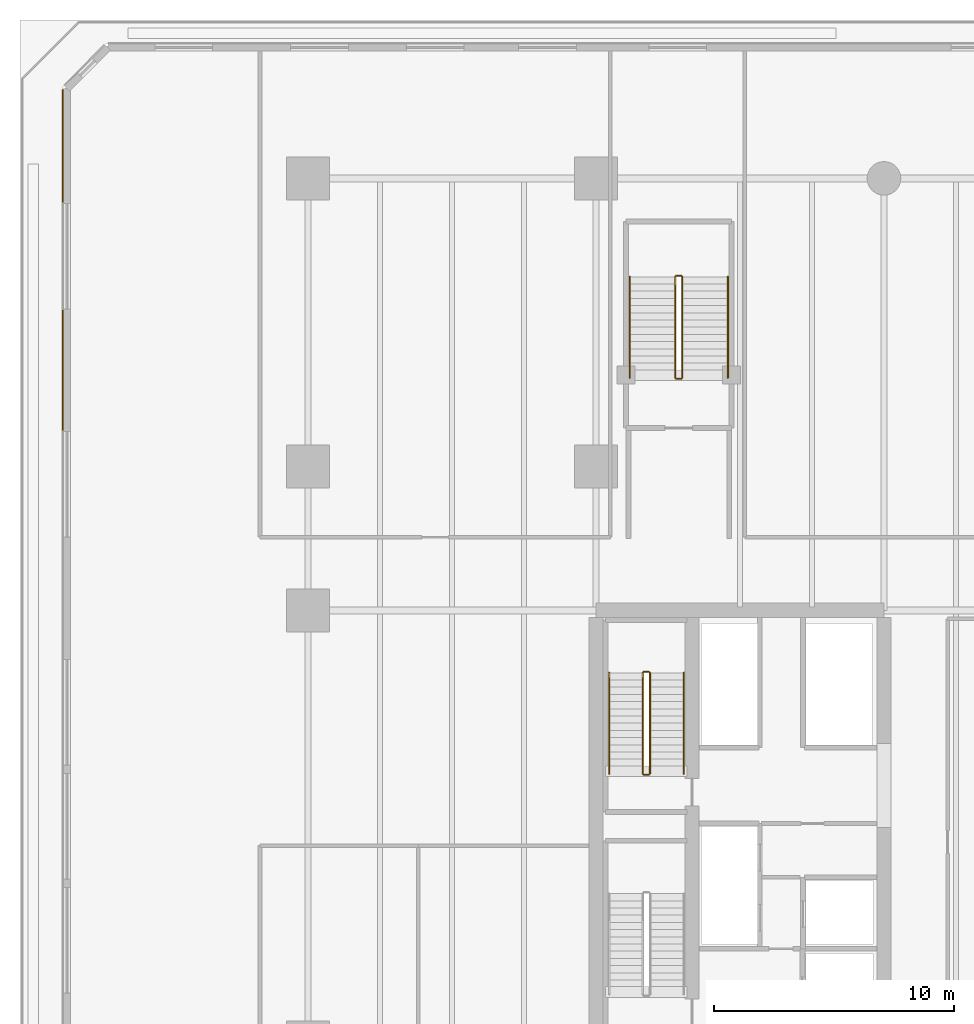
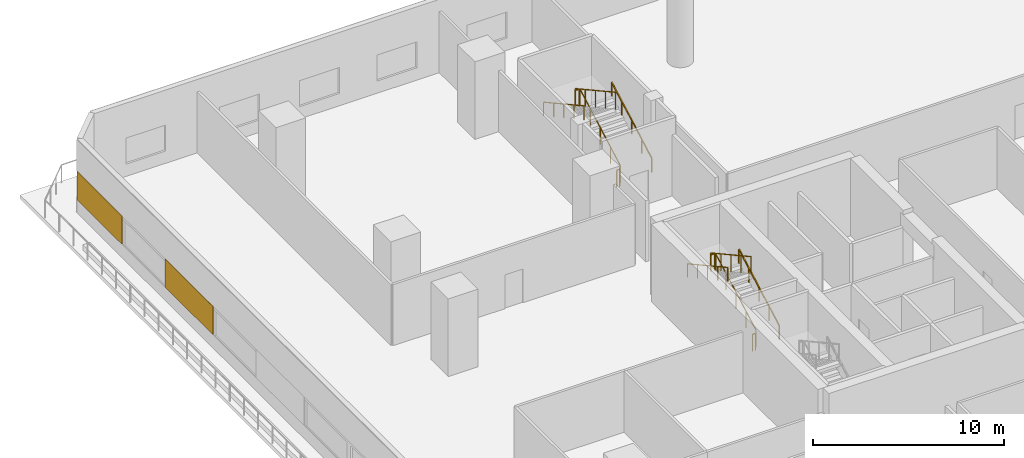
# One storey, part 19 of 24: 12 railings, 2 coverings.
"""IFC4 building model written with IfcOpenShell, lengths in metres."""

from ifc_helpers import new_model, si_unit, direction, frame, origin, origin_2d, place, context, subcontext, project, spatial, rectangle, extrude, material, layer, layer_set, type_object, element, save


model = new_model("IFC4")

# Units and contexts
model_context = context("Model", 3, precision=1e-05, world=origin(), true_north=direction((0.0, 1.0)))
body_context = subcontext(model_context, "Body", "Model", "MODEL_VIEW")
ifc_project = project(units=[si_unit("LENGTHUNIT", "METRE"), si_unit("AREAUNIT", "SQUARE_METRE"), si_unit("VOLUMEUNIT", "CUBIC_METRE"), si_unit("PLANEANGLEUNIT", "RADIAN"), si_unit("MASSUNIT", "GRAM", prefix="KILO")], contexts=[model_context])

# Site, building, storey
site_placement = place(None, origin())
site = spatial("IfcSite", under=ifc_project, at=site_placement, CompositionType="ELEMENT")
building_placement = place(site_placement, origin())
building = spatial("IfcBuilding", under=site, at=building_placement, Name="Tanjung Sevakor Pilgrim Tower", CompositionType="ELEMENT")
storey_placement = place(building_placement, frame((0.0, 0.0, 4.949951171875)))
storey = spatial("IfcBuildingStorey", under=building, at=storey_placement, Name="L02", CompositionType="ELEMENT", Elevation=4.949951171875)

# Coverings
ifc_material_1 = material(Name="Reconstructed Limestone Cladding", Category="masonry")
ifc_layer = layer(ifc_material_1, 0.044921875)
ifc_layer_set = layer_set([ifc_layer], Name="COV-CLAD-LIMESTONE")
covering_type = type_object("IfcCoveringType", Name="COV-CLAD-LIMESTONE", PredefinedType="CLADDING", material=ifc_layer_set)
covering_1_placement = place(storey_placement, frame((1.777587890625, 61.948974609375, 0.85009765625), z_axis=(0.0, 0.0, 1.0), x_axis=(0.0, -1.0, 0.0)))
element("IfcCovering", 1, at=covering_1_placement, inside=storey, type_object=covering_type, Name="L02 Warm Limestone Pier Panel EW-L02-MAIN-7-1", PredefinedType="CLADDING", context=body_context, shape_type="SweptSolid", body=[
    extrude(rectangle(XDim=4.697998046875, YDim=0.044921875, at=origin_2d()), origin(), (0.0, 0.0, 1.0), 1.81005859375),
])
covering_2_placement = place(storey_placement, frame((1.777587890625, 52.60009765625, 0.85009765625), z_axis=(0.0, 0.0, 1.0), x_axis=(0.0, -1.0, 0.0)))
element("IfcCovering", 2, at=covering_2_placement, inside=storey, type_object=covering_type, Name="L02 Warm Limestone Pier Panel EW-L02-MAIN-7-2", PredefinedType="CLADDING", context=body_context, shape_type="SweptSolid", body=[
    extrude(rectangle(XDim=5.0, YDim=0.044921875, at=origin_2d()), origin(), (0.0, 0.0, 1.0), 1.81005859375),
])

# Railings
ifc_material_2 = material(Name="Steel S355J2", Category="steel")
railing_type_1 = type_object("IfcRailingType", Name="RL-STAIR-GUARD", PredefinedType="GUARDRAIL", material=ifc_material_2)
railing_1_placement = place(storey_placement, frame((26.25, 35.800048828125, 0.1650390625)))
element("IfcRailing", 3, at=railing_1_placement, inside=storey, type_object=railing_type_1, Name="L02 TS-W2 stair guard 1", PredefinedType="GUARDRAIL", context=body_context, shape_type="SweptSolid", body=[
    extrude(rectangle(XDim=0.0479, YDim=0.0479), frame((0.0, 0.0, 1.076171875), z_axis=(0.0, 0.876208380975, 0.481932436249), x_axis=(-1.0, 0.0, 0.0)), (0.0, 0.0, 1.0), 4.793212890625),
    extrude(rectangle(XDim=0.042, YDim=0.042), origin(), (0.0, 0.0, 1.0), 1.052001953125),
    extrude(rectangle(XDim=0.042, YDim=0.042), frame((0.0, 1.050048828125, 0.57763671875)), (0.0, 0.0, 1.0), 1.052001953125),
    extrude(rectangle(XDim=0.042, YDim=0.042), frame((0.0, 2.10009765625, 1.155029296875)), (0.0, 0.0, 1.0), 1.052001953125),
    extrude(rectangle(XDim=0.042, YDim=0.042), frame((0.0, 3.14990234375, 1.732421875)), (0.0, 0.0, 1.0), 1.052001953125),
    extrude(rectangle(XDim=0.042, YDim=0.042), frame((0.0, 4.199951171875, 2.31005859375)), (0.0, 0.0, 1.0), 1.052001953125),
])
railing_2_placement = place(storey_placement, frame((26.199951171875, 40.050048828125, 2.47509765625)))
element("IfcRailing", 4, at=railing_2_placement, inside=storey, type_object=railing_type_1, Name="L02 TS-W2 stair guard 2", PredefinedType="GUARDRAIL", context=body_context, shape_type="SweptSolid", body=[
    extrude(rectangle(XDim=0.0479, YDim=0.0479), frame((0.0, 0.0, 1.076171875), z_axis=(-1.0, 0.0, 0.0), x_axis=(0.0, -1.0, 0.0)), (0.0, 0.0, 1.0), 0.199951171875),
    extrude(rectangle(XDim=0.042, YDim=0.042), origin(), (0.0, 0.0, 1.0), 1.052001953125),
    extrude(rectangle(XDim=0.042, YDim=0.042), frame((-0.199951171875, 0.0, 0.0)), (0.0, 0.0, 1.0), 1.052001953125),
])
railing_3_placement = place(storey_placement, frame((25.949951171875, 40.0, 2.64013671875)))
element("IfcRailing", 5, at=railing_3_placement, inside=storey, type_object=railing_type_1, Name="L02 TS-W2 stair guard 3", PredefinedType="GUARDRAIL", context=body_context, shape_type="SweptSolid", body=[
    extrude(rectangle(XDim=0.0479, YDim=0.0479), frame((0.0, 0.0, 1.076171875), z_axis=(0.0, -0.876229888469, 0.481893331094), x_axis=(1.0, 0.0, 0.0)), (0.0, 0.0, 1.0), 4.793212890625),
    extrude(rectangle(XDim=0.042, YDim=0.042), origin(), (0.0, 0.0, 1.0), 1.052001953125),
    extrude(rectangle(XDim=0.042, YDim=0.042), frame((0.0, -1.050048828125, 0.577392578125)), (0.0, 0.0, 1.0), 1.052001953125),
    extrude(rectangle(XDim=0.042, YDim=0.042), frame((0.0, -2.10009765625, 1.15478515625)), (0.0, 0.0, 1.0), 1.052001953125),
    extrude(rectangle(XDim=0.042, YDim=0.042), frame((0.0, -3.14990234375, 1.732421875)), (0.0, 0.0, 1.0), 1.052001953125),
    extrude(rectangle(XDim=0.042, YDim=0.042), frame((0.0, -4.199951171875, 2.309814453125)), (0.0, 0.0, 1.0), 1.052001953125),
])
railing_4_placement = place(storey_placement, frame((26.199951171875, 35.75, 0.0)))
element("IfcRailing", 6, at=railing_4_placement, inside=storey, type_object=railing_type_1, Name="L02 TS-W2 stair guard 4", PredefinedType="GUARDRAIL", context=body_context, shape_type="SweptSolid", body=[
    extrude(rectangle(XDim=0.0479, YDim=0.0479), frame((0.0, 0.0, 1.076171875), z_axis=(-1.0, 0.0, 0.0), x_axis=(0.0, -1.0, 0.0)), (0.0, 0.0, 1.0), 0.199951171875),
    extrude(rectangle(XDim=0.042, YDim=0.042), origin(), (0.0, 0.0, 1.0), 1.052001953125),
    extrude(rectangle(XDim=0.042, YDim=0.042), frame((-0.199951171875, 0.0, 0.0)), (0.0, 0.0, 1.0), 1.052001953125),
])
railing_5_placement = place(storey_placement, frame((27.60009765625, 52.300048828125, 0.1650390625)))
element("IfcRailing", 7, at=railing_5_placement, inside=storey, type_object=railing_type_1, Name="L02 PS-2 stair guard 1", PredefinedType="GUARDRAIL", context=body_context, shape_type="SweptSolid", body=[
    extrude(rectangle(XDim=0.0479, YDim=0.0479), frame((0.0, 0.0, 1.076171875), z_axis=(0.0, 0.876208380975, 0.481932436249), x_axis=(-1.0, 0.0, 0.0)), (0.0, 0.0, 1.0), 4.793212890625),
    extrude(rectangle(XDim=0.042, YDim=0.042), origin(), (0.0, 0.0, 1.0), 1.052001953125),
    extrude(rectangle(XDim=0.042, YDim=0.042), frame((0.0, 1.050048828125, 0.57763671875)), (0.0, 0.0, 1.0), 1.052001953125),
    extrude(rectangle(XDim=0.042, YDim=0.042), frame((0.0, 2.10009765625, 1.155029296875)), (0.0, 0.0, 1.0), 1.052001953125),
    extrude(rectangle(XDim=0.042, YDim=0.042), frame((0.0, 3.14990234375, 1.732421875)), (0.0, 0.0, 1.0), 1.052001953125),
    extrude(rectangle(XDim=0.042, YDim=0.042), frame((0.0, 4.199951171875, 2.31005859375)), (0.0, 0.0, 1.0), 1.052001953125),
])
railing_6_placement = place(storey_placement, frame((27.550048828125, 56.550048828125, 2.47509765625)))
element("IfcRailing", 8, at=railing_6_placement, inside=storey, type_object=railing_type_1, Name="L02 PS-2 stair guard 2", PredefinedType="GUARDRAIL", context=body_context, shape_type="SweptSolid", body=[
    extrude(rectangle(XDim=0.0479, YDim=0.0479), frame((0.0, 0.0, 1.076171875), z_axis=(-1.0, 0.0, 0.0), x_axis=(0.0, -1.0, 0.0)), (0.0, 0.0, 1.0), 0.199951171875),
    extrude(rectangle(XDim=0.042, YDim=0.042), origin(), (0.0, 0.0, 1.0), 1.052001953125),
    extrude(rectangle(XDim=0.042, YDim=0.042), frame((-0.199951171875, 0.0, 0.0)), (0.0, 0.0, 1.0), 1.052001953125),
])
railing_7_placement = place(storey_placement, frame((27.300048828125, 56.5, 2.64013671875)))
element("IfcRailing", 9, at=railing_7_placement, inside=storey, type_object=railing_type_1, Name="L02 PS-2 stair guard 3", PredefinedType="GUARDRAIL", context=body_context, shape_type="SweptSolid", body=[
    extrude(rectangle(XDim=0.0479, YDim=0.0479), frame((0.0, 0.0, 1.076171875), z_axis=(0.0, -0.876229888469, 0.481893331094), x_axis=(1.0, 0.0, 0.0)), (0.0, 0.0, 1.0), 4.793212890625),
    extrude(rectangle(XDim=0.042, YDim=0.042), origin(), (0.0, 0.0, 1.0), 1.052001953125),
    extrude(rectangle(XDim=0.042, YDim=0.042), frame((0.0, -1.050048828125, 0.577392578125)), (0.0, 0.0, 1.0), 1.052001953125),
    extrude(rectangle(XDim=0.042, YDim=0.042), frame((0.0, -2.10009765625, 1.15478515625)), (0.0, 0.0, 1.0), 1.052001953125),
    extrude(rectangle(XDim=0.042, YDim=0.042), frame((0.0, -3.14990234375, 1.732421875)), (0.0, 0.0, 1.0), 1.052001953125),
    extrude(rectangle(XDim=0.042, YDim=0.042), frame((0.0, -4.199951171875, 2.309814453125)), (0.0, 0.0, 1.0), 1.052001953125),
])
railing_8_placement = place(storey_placement, frame((27.550048828125, 52.25, 0.0)))
element("IfcRailing", 10, at=railing_8_placement, inside=storey, type_object=railing_type_1, Name="L02 PS-2 stair guard 4", PredefinedType="GUARDRAIL", context=body_context, shape_type="SweptSolid", body=[
    extrude(rectangle(XDim=0.0479, YDim=0.0479), frame((0.0, 0.0, 1.076171875), z_axis=(-1.0, 0.0, 0.0), x_axis=(0.0, -1.0, 0.0)), (0.0, 0.0, 1.0), 0.199951171875),
    extrude(rectangle(XDim=0.042, YDim=0.042), origin(), (0.0, 0.0, 1.0), 1.052001953125),
    extrude(rectangle(XDim=0.042, YDim=0.042), frame((-0.199951171875, 0.0, 0.0)), (0.0, 0.0, 1.0), 1.052001953125),
])
ifc_material_3 = material(Name="Steel S355J2", Category="steel")
railing_type_2 = type_object("IfcRailingType", Name="RL-STAIR-HAND", PredefinedType="HANDRAIL", material=ifc_material_3)
railing_9_placement = place(storey_placement, frame((27.64990234375, 35.800048828125, 0.1650390625)))
element("IfcRailing", 11, at=railing_9_placement, inside=storey, type_object=railing_type_2, Name="L02 TS-W2 stair handrail 1", PredefinedType="HANDRAIL", context=body_context, shape_type="SweptSolid", body=[
    extrude(rectangle(XDim=0.0479, YDim=0.0479), frame((0.0, 0.0, 0.8759765625), z_axis=(0.0, 0.876208380975, 0.481932436249), x_axis=(-1.0, 0.0, 0.0)), (0.0, 0.0, 1.0), 4.793212890625),
    extrude(rectangle(XDim=0.042, YDim=0.042), origin(), (0.0, 0.0, 1.0), 0.851806640625),
    extrude(rectangle(XDim=0.042, YDim=0.042), frame((0.0, 1.050048828125, 0.57763671875)), (0.0, 0.0, 1.0), 0.851806640625),
    extrude(rectangle(XDim=0.042, YDim=0.042), frame((0.0, 2.10009765625, 1.155029296875)), (0.0, 0.0, 1.0), 0.851806640625),
    extrude(rectangle(XDim=0.042, YDim=0.042), frame((0.0, 3.14990234375, 1.732421875)), (0.0, 0.0, 1.0), 0.851806640625),
    extrude(rectangle(XDim=0.042, YDim=0.042), frame((0.0, 4.199951171875, 2.31005859375)), (0.0, 0.0, 1.0), 0.851806640625),
])
railing_10_placement = place(storey_placement, frame((24.550048828125, 40.0, 2.64013671875)))
element("IfcRailing", 12, at=railing_10_placement, inside=storey, type_object=railing_type_2, Name="L02 TS-W2 stair handrail 2", PredefinedType="HANDRAIL", context=body_context, shape_type="SweptSolid", body=[
    extrude(rectangle(XDim=0.0479, YDim=0.0479), frame((0.0, 0.0, 0.8759765625), z_axis=(0.0, -0.876229888469, 0.481893331094), x_axis=(1.0, 0.0, 0.0)), (0.0, 0.0, 1.0), 4.793212890625),
    extrude(rectangle(XDim=0.042, YDim=0.042), origin(), (0.0, 0.0, 1.0), 0.851806640625),
    extrude(rectangle(XDim=0.042, YDim=0.042), frame((0.0, -1.050048828125, 0.577392578125)), (0.0, 0.0, 1.0), 0.851806640625),
    extrude(rectangle(XDim=0.042, YDim=0.042), frame((0.0, -2.10009765625, 1.15478515625)), (0.0, 0.0, 1.0), 0.851806640625),
    extrude(rectangle(XDim=0.042, YDim=0.042), frame((0.0, -3.14990234375, 1.732421875)), (0.0, 0.0, 1.0), 0.851806640625),
    extrude(rectangle(XDim=0.042, YDim=0.042), frame((0.0, -4.199951171875, 2.309814453125)), (0.0, 0.0, 1.0), 0.851806640625),
])
railing_11_placement = place(storey_placement, frame((29.5, 52.300048828125, 0.1650390625)))
element("IfcRailing", 13, at=railing_11_placement, inside=storey, type_object=railing_type_2, Name="L02 PS-2 stair handrail 1", PredefinedType="HANDRAIL", context=body_context, shape_type="SweptSolid", body=[
    extrude(rectangle(XDim=0.0479, YDim=0.0479), frame((0.0, 0.0, 0.8759765625), z_axis=(0.0, 0.876208380975, 0.481932436249), x_axis=(-1.0, 0.0, 0.0)), (0.0, 0.0, 1.0), 4.793212890625),
    extrude(rectangle(XDim=0.042, YDim=0.042), origin(), (0.0, 0.0, 1.0), 0.851806640625),
    extrude(rectangle(XDim=0.042, YDim=0.042), frame((0.0, 1.050048828125, 0.57763671875)), (0.0, 0.0, 1.0), 0.851806640625),
    extrude(rectangle(XDim=0.042, YDim=0.042), frame((0.0, 2.10009765625, 1.155029296875)), (0.0, 0.0, 1.0), 0.851806640625),
    extrude(rectangle(XDim=0.042, YDim=0.042), frame((0.0, 3.14990234375, 1.732421875)), (0.0, 0.0, 1.0), 0.851806640625),
    extrude(rectangle(XDim=0.042, YDim=0.042), frame((0.0, 4.199951171875, 2.31005859375)), (0.0, 0.0, 1.0), 0.851806640625),
])
railing_12_placement = place(storey_placement, frame((25.39990234375, 56.5, 2.64013671875)))
element("IfcRailing", 14, at=railing_12_placement, inside=storey, type_object=railing_type_2, Name="L02 PS-2 stair handrail 2", PredefinedType="HANDRAIL", context=body_context, shape_type="SweptSolid", body=[
    extrude(rectangle(XDim=0.0479, YDim=0.0479), frame((0.0, 0.0, 0.8759765625), z_axis=(0.0, -0.876229888469, 0.481893331094), x_axis=(1.0, 0.0, 0.0)), (0.0, 0.0, 1.0), 4.793212890625),
    extrude(rectangle(XDim=0.042, YDim=0.042), origin(), (0.0, 0.0, 1.0), 0.851806640625),
    extrude(rectangle(XDim=0.042, YDim=0.042), frame((0.0, -1.050048828125, 0.577392578125)), (0.0, 0.0, 1.0), 0.851806640625),
    extrude(rectangle(XDim=0.042, YDim=0.042), frame((0.0, -2.10009765625, 1.15478515625)), (0.0, 0.0, 1.0), 0.851806640625),
    extrude(rectangle(XDim=0.042, YDim=0.042), frame((0.0, -3.14990234375, 1.732421875)), (0.0, 0.0, 1.0), 0.851806640625),
    extrude(rectangle(XDim=0.042, YDim=0.042), frame((0.0, -4.199951171875, 2.309814453125)), (0.0, 0.0, 1.0), 0.851806640625),
])

save(model, "model.ifc")
